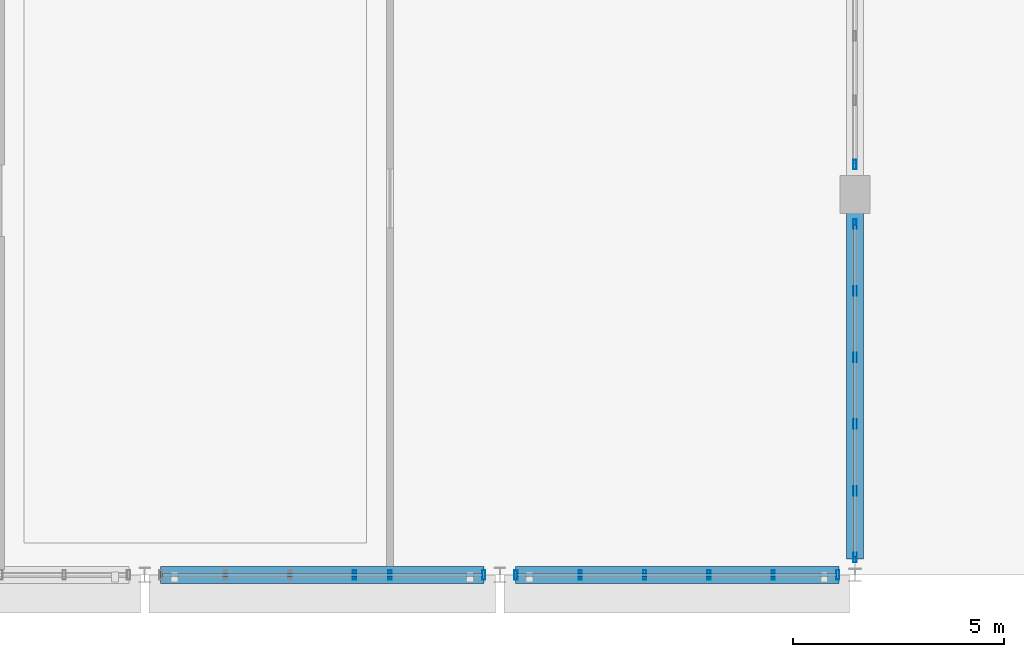
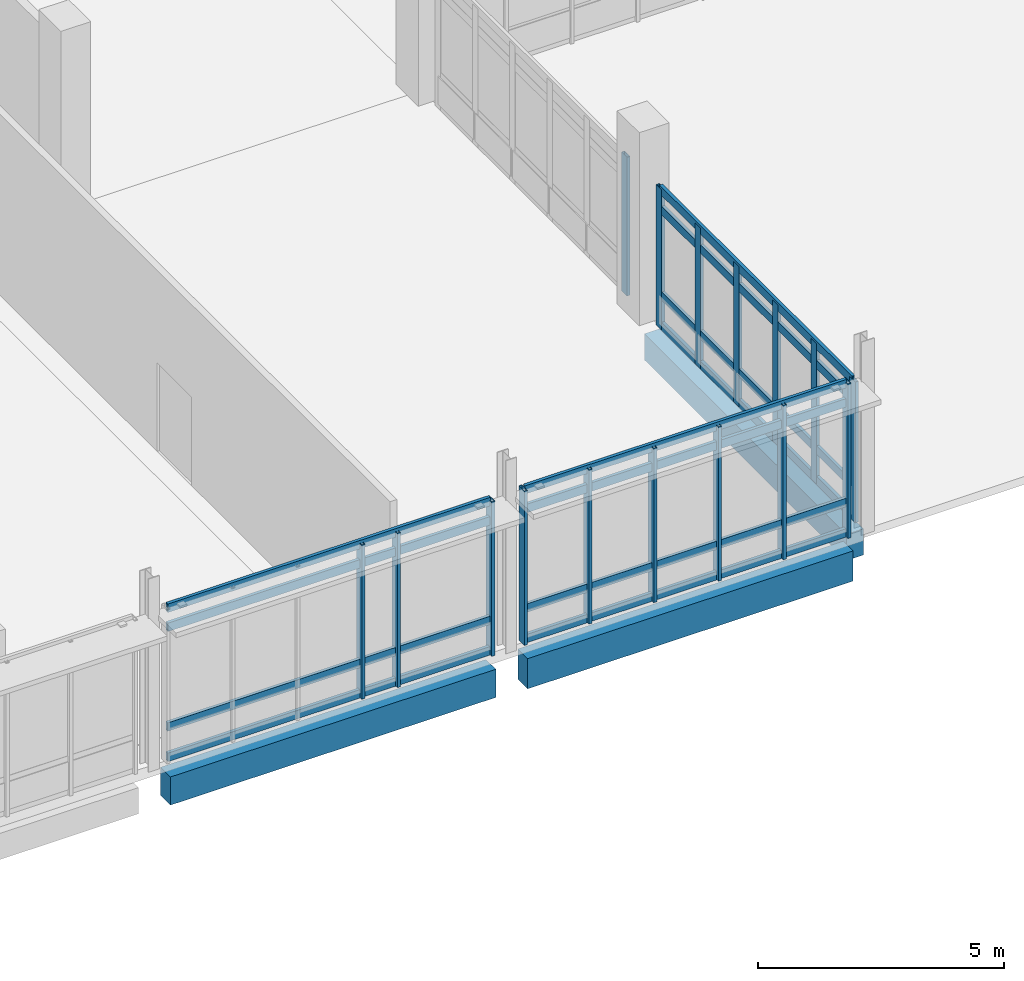
# One storey, part 25 of 95: 28 members, 3 beams, 4 elements without a shape of their own.
"""IFC4 building model written with IfcOpenShell, lengths in metres."""

import ifcopenshell
import ifcopenshell.guid

model = None  # the IFC model being written
_history = None  # IfcOwnerHistory: only IFC2X3 demands one
_inside = {}  # id of a spatial element -> (the spatial element, [elements in it])
_under = {}  # id of a project, library or spatial element -> (it, [spatial elements below it])
_declared = {}  # id of a project -> (the project, [libraries it declares])
_typed = {}  # id of a type object -> (the type object, [elements of that type])
_made_of = {}  # id of a material, layer set ... -> (it, [elements and type objects made of it])


def new_model(schema):
    """Start an empty IFC model of exactly this schema.

    Asked for "IFC4X3", IfcOpenShell would pick the latest addendum, in which some entities
    have other attributes; the version numbers below select the first issue.
    IFC2X3 requires an IfcOwnerHistory on every rooted entity: one is made here for all.
    """
    global model, _history
    if schema == "IFC4X3":
        model = ifcopenshell.file(schema_version=(4, 3, 0, 0))
    else:
        model = ifcopenshell.file(schema=schema)
    _inside.clear()
    _under.clear()
    _declared.clear()
    _typed.clear()
    _made_of.clear()
    _history = None
    if model.schema == "IFC2X3":
        org = make("IfcOrganization", Name="unknown")
        user = make(
            "IfcPersonAndOrganization",
            ThePerson=make("IfcPerson", FamilyName="unknown"),
            TheOrganization=org,
        )
        app = make(
            "IfcApplication",
            ApplicationDeveloper=org,
            Version="unknown",
            ApplicationFullName="unknown",
            ApplicationIdentifier="unknown",
        )
        _history = make(
            "IfcOwnerHistory",
            OwningUser=user,
            OwningApplication=app,
            ChangeAction="ADDED",
            CreationDate=0,
        )
    return model


def make(cls, **values):
    """One entity of the class cls with the attributes given. An attribute that is None is left unset."""
    return model.create_entity(
        cls, **{name: value for name, value in values.items() if value is not None}
    )


def rooted(cls, **values):
    """An entity with a GlobalId (a new one), such as an element, a storey or a relation."""
    return make(cls, GlobalId=ifcopenshell.guid.new(), OwnerHistory=_history, **values)


def si_unit(unit_type, name, prefix=None):
    """IfcSIUnit, for example si_unit("LENGTHUNIT", "METRE", prefix="MILLI")."""
    return make("IfcSIUnit", UnitType=unit_type, Prefix=prefix, Name=name)


def assignment(units):
    """IfcUnitAssignment: the units of a project."""
    return None if units is None else make("IfcUnitAssignment", Units=units)


def point(xyz):
    """IfcCartesianPoint."""
    return None if xyz is None else make("IfcCartesianPoint", Coordinates=xyz)


def direction(xyz):
    """IfcDirection."""
    return None if xyz is None else make("IfcDirection", DirectionRatios=xyz)


def frame(location, z_axis=None, x_axis=None):
    """IfcAxis2Placement3D, a coordinate frame: its origin and axes. An axis left out is left unset."""
    return make(
        "IfcAxis2Placement3D",
        Location=point(location),
        Axis=direction(z_axis),
        RefDirection=direction(x_axis),
    )


def frame_2d(location, x_axis=None):
    """IfcAxis2Placement2D, a coordinate frame in the plane: its origin and x axis."""
    return make(
        "IfcAxis2Placement2D", Location=point(location), RefDirection=direction(x_axis)
    )


def origin():
    """The frame at (0, 0, 0) with its axes left unset."""
    return frame((0.0, 0.0, 0.0))


def origin_2d():
    """The frame at (0, 0) in the plane with its x axis left unset."""
    return frame_2d((0.0, 0.0))


def place(relative_to, where):
    """IfcLocalPlacement: puts the frame where relative to a parent placement (None: the world)."""
    return make(
        "IfcLocalPlacement", PlacementRelTo=relative_to, RelativePlacement=where
    )


def context(
    kind, dimensions, precision=None, world=None, true_north=None, identifier=None
):
    """IfcGeometricRepresentationContext, for example the 3D "Model" context."""
    return make(
        "IfcGeometricRepresentationContext",
        ContextIdentifier=identifier,
        ContextType=kind,
        CoordinateSpaceDimension=dimensions,
        Precision=precision,
        WorldCoordinateSystem=world,
        TrueNorth=true_north,
    )


def subcontext(parent, identifier, kind, view, scale=None):
    """IfcGeometricRepresentationSubContext, for example "Body" below "Model"."""
    return make(
        "IfcGeometricRepresentationSubContext",
        ContextIdentifier=identifier,
        ContextType=kind,
        ParentContext=parent,
        TargetScale=scale,
        TargetView=view,
    )


def project(units=None, contexts=None):
    """IfcProject with its units and contexts."""
    return rooted(
        "IfcProject",
        Name="project",
        RepresentationContexts=contexts,
        UnitsInContext=assignment(units),
    )


def spatial(cls, under=None, at=None, **own):
    """A site, building, storey or space (cls), placed at a placement, below another one or the project."""
    s = rooted(cls, ObjectPlacement=at, **own)
    if under is not None:
        _under.setdefault(under.id(), (under, []))[1].append(s)
    return s


def profile(cls, at=None, kind="AREA", **sizes):
    """A parametric profile (cls). Its sizes go by their IFC names, for example OverallWidth=200.0."""
    return make(cls, ProfileType=kind, Position=at, **sizes)


def rectangle(**sizes):
    """IfcRectangleProfileDef."""
    return profile("IfcRectangleProfileDef", **sizes)


def hollow_rectangle(**sizes):
    """IfcRectangleHollowProfileDef."""
    return profile("IfcRectangleHollowProfileDef", **sizes)


def extrude(swept, where, along, depth):
    """IfcExtrudedAreaSolid: the profile swept, set in the frame where, extruded along a direction by depth."""
    return make(
        "IfcExtrudedAreaSolid",
        SweptArea=swept,
        Position=where,
        ExtrudedDirection=direction(along),
        Depth=depth,
    )


def shape(context_of_items, identifier, shape_type, items):
    """IfcShapeRepresentation: the items that make up one representation, for example the "Body"."""
    return make(
        "IfcShapeRepresentation",
        ContextOfItems=context_of_items,
        RepresentationIdentifier=identifier,
        RepresentationType=shape_type,
        Items=items,
    )


def material(Name=None, Category=None):
    """IfcMaterial."""
    return make("IfcMaterial", Name=Name, Category=Category)


def layer(
    of_material, thickness, ventilated=None, Name=None, Category=None, Priority=None
):
    """IfcMaterialLayer: one layer of a wall or slab, of a material (None: an air gap)."""
    return make(
        "IfcMaterialLayer",
        Material=of_material,
        LayerThickness=thickness,
        IsVentilated=ventilated,
        Name=Name,
        Category=Category,
        Priority=Priority,
    )


def layer_set(layers, Name=None):
    """IfcMaterialLayerSet."""
    return make("IfcMaterialLayerSet", MaterialLayers=layers, LayerSetName=Name)


def material_profile(
    of_material, cross_section, Name=None, Category=None, Priority=None
):
    """IfcMaterialProfile: a cross section and its material."""
    return make(
        "IfcMaterialProfile",
        Name=Name,
        Material=of_material,
        Profile=cross_section,
        Priority=Priority,
        Category=Category,
    )


def profile_set(profiles, Name=None, composite=None):
    """IfcMaterialProfileSet."""
    return make(
        "IfcMaterialProfileSet",
        Name=Name,
        MaterialProfiles=profiles,
        CompositeProfile=composite,
    )


def made_of(thing, what):
    """Note that an element or type object is made of a material, layer set ...; save() writes the relation."""
    if what is not None:
        _made_of.setdefault(what.id(), (what, []))[1].append(thing)
    return thing


def type_object(cls, material=None, **own):
    """A type object (cls), such as IfcWallType, which elements share."""
    return made_of(rooted(cls, **own), material)


def element(
    cls,
    number,
    at=None,
    inside=None,
    cuts=None,
    type_object=None,
    material=None,
    context=None,
    identifier="Body",
    shape_type=None,
    held_by="IfcProductDefinitionShape",
    body=None,
    shapes=None,
    **own,
):
    """One element of the class cls, such as IfcWall. Its Tag is "e" and its number.

    at: its placement. inside: the storey or other place that contains it. cuts: it is an
    opening in that element (IfcRelVoidsElement). A single representation is given by context,
    identifier, shape_type and body (its items); several are given by shapes. held_by: the class
    of the entity that holds the representations. save() writes the other relations.
    """
    e = rooted(cls, Tag="e%d" % number, ObjectPlacement=at, **own)
    if body is not None:
        shapes = [shape(context, identifier, shape_type, body)]
    if shapes is not None:
        e.Representation = make(held_by, Representations=shapes)
    if inside is not None:
        _inside.setdefault(inside.id(), (inside, []))[1].append(e)
    if cuts is not None:
        rooted(
            "IfcRelVoidsElement", RelatingBuildingElement=cuts, RelatedOpeningElement=e
        )
    if type_object is not None:
        _typed.setdefault(type_object.id(), (type_object, []))[1].append(e)
    return made_of(e, material)


def aggregate(whole, parts):
    """IfcRelAggregates: a whole, such as a stair, and the parts it consists of."""
    return rooted("IfcRelAggregates", RelatingObject=whole, RelatedObjects=parts)


def save(model, path):
    """Write the relations noted so far, then the file.

    IfcRelAggregates (storeys below a building ...), IfcRelContainedInSpatialStructure (elements
    in a storey), IfcRelDefinesByType, IfcRelAssociatesMaterial and IfcRelDeclares: one each for
    every whole, place, type object, material and project.
    """
    for whole, parts in _under.values():
        aggregate(whole, parts)
    for where, things in _inside.values():
        rooted(
            "IfcRelContainedInSpatialStructure",
            RelatedElements=things,
            RelatingStructure=where,
        )
    for kind, things in _typed.values():
        rooted("IfcRelDefinesByType", RelatedObjects=things, RelatingType=kind)
    for what, things in _made_of.values():
        rooted("IfcRelAssociatesMaterial", RelatedObjects=things, RelatingMaterial=what)
    for by, libraries in _declared.values():
        rooted("IfcRelDeclares", RelatingContext=by, RelatedDefinitions=libraries)
    model.write(path)


model = new_model("IFC4")

# Units and contexts
model_context = context("Model", 3, precision=1e-05, world=origin(), true_north=direction((0.0, 1.0)))
body_context = subcontext(model_context, "Body", "Model", "MODEL_VIEW")
ifc_project = project(units=[si_unit("LENGTHUNIT", "METRE"), si_unit("AREAUNIT", "SQUARE_METRE"), si_unit("VOLUMEUNIT", "CUBIC_METRE"), si_unit("PLANEANGLEUNIT", "RADIAN"), si_unit("MASSUNIT", "GRAM", prefix="KILO")], contexts=[model_context])

# Site, building, storey
site_placement = place(None, origin())
site = spatial("IfcSite", under=ifc_project, at=site_placement, CompositionType="ELEMENT")
building_placement = place(site_placement, origin())
building = spatial("IfcBuilding", under=site, at=building_placement, Name="Vireocrest Preparatory School", CompositionType="ELEMENT")
storey_placement = place(building_placement, origin())
storey = spatial("IfcBuildingStorey", under=building, at=storey_placement, Name="L00", CompositionType="ELEMENT", Elevation=0.0)

# Curtain wall, members
ifc_material_1 = material(Name="Thermally broken aluminium EN AW-6063-T6", Category="aluminium")
ifc_layer_1 = layer(ifc_material_1, 0.179931640625)
ifc_layer_set_1 = layer_set([ifc_layer_1], Name="Thermally broken aluminium EN AW-6063-T6")
curtain_wall_type_1 = type_object("IfcCurtainWallType", Name="Dining Side Storefront 9000x4400", PredefinedType="USERDEFINED", material=ifc_layer_set_1)
curtain_wall_1_placement = place(storey_placement, origin())
curtain_wall_1 = element("IfcCurtainWall", 1, at=curtain_wall_1_placement, inside=storey, type_object=curtain_wall_type_1, Name="Curtain Wall CW11 CW_L00_CW11_1092_0003_000", ObjectType="CURTAIN WALL", PredefinedType="USERDEFINED")
ifc_material_profile_1 = material_profile(ifc_material_1, hollow_rectangle(XDim=0.074951171875, YDim=0.22509765625, WallThickness=0.0048828125, at=origin_2d()), Name="ALU 75x225x5")
ifc_profile_set_1 = profile_set([ifc_material_profile_1], Name="Thermally broken aluminium EN AW-6063-T6")
member_type_1 = type_object("IfcMemberType", Name="CW Mullion 75x225x5", PredefinedType="MULLION", material=ifc_profile_set_1)
member_1_placement = place(storey_placement, frame((109.199951171875, 0.408935546875, 0.0), z_axis=(0.0, 0.0, 1.0), x_axis=(1.0, 0.0, 0.0)))
member_1 = element("IfcMember", 2, at=member_1_placement, type_object=member_type_1, Name="CW Mullion ML4 CW_L00_CW11_1092_0003_000-1", PredefinedType="MULLION", context=body_context, shape_type="SweptSolid", body=[
    extrude(hollow_rectangle(XDim=0.074951171875, YDim=0.22509765625, WallThickness=0.0048828125, at=origin_2d()), origin(), (0.0, 0.0, 1.0), 3.4951171875),
])
member_2_placement = place(storey_placement, frame((109.199951171875, 1.986083984375, 0.0), z_axis=(0.0, 0.0, 1.0), x_axis=(1.0, 0.0, 0.0)))
member_2 = element("IfcMember", 3, at=member_2_placement, type_object=member_type_1, Name="CW Mullion ML4 CW_L00_CW11_1092_0003_000-2", PredefinedType="MULLION", context=body_context, shape_type="SweptSolid", body=[
    extrude(hollow_rectangle(XDim=0.074951171875, YDim=0.22509765625, WallThickness=0.0048828125, at=origin_2d()), origin(), (0.0, 0.0, 1.0), 3.4951171875),
])
member_3_placement = place(storey_placement, frame((109.199951171875, 3.5634765625, 0.0), z_axis=(0.0, 0.0, 1.0), x_axis=(1.0, 0.0, 0.0)))
member_3 = element("IfcMember", 4, at=member_3_placement, type_object=member_type_1, Name="CW Mullion ML4 CW_L00_CW11_1092_0003_000-3", PredefinedType="MULLION", context=body_context, shape_type="SweptSolid", body=[
    extrude(hollow_rectangle(XDim=0.074951171875, YDim=0.22509765625, WallThickness=0.0048828125, at=origin_2d()), origin(), (0.0, 0.0, 1.0), 3.4951171875),
])
member_4_placement = place(storey_placement, frame((109.199951171875, 5.140625, 0.0), z_axis=(0.0, 0.0, 1.0), x_axis=(1.0, 0.0, 0.0)))
member_4 = element("IfcMember", 5, at=member_4_placement, type_object=member_type_1, Name="CW Mullion ML4 CW_L00_CW11_1092_0003_000-4", PredefinedType="MULLION", context=body_context, shape_type="SweptSolid", body=[
    extrude(hollow_rectangle(XDim=0.074951171875, YDim=0.22509765625, WallThickness=0.0048828125, at=origin_2d()), origin(), (0.0, 0.0, 1.0), 3.4951171875),
])
member_5_placement = place(storey_placement, frame((109.199951171875, 6.7177734375, 0.0), z_axis=(0.0, 0.0, 1.0), x_axis=(1.0, 0.0, 0.0)))
member_5 = element("IfcMember", 6, at=member_5_placement, type_object=member_type_1, Name="CW Mullion ML4 CW_L00_CW11_1092_0003_000-5", PredefinedType="MULLION", context=body_context, shape_type="SweptSolid", body=[
    extrude(hollow_rectangle(XDim=0.074951171875, YDim=0.22509765625, WallThickness=0.0048828125, at=origin_2d()), origin(), (0.0, 0.0, 1.0), 3.4951171875),
])
member_6_placement = place(storey_placement, frame((109.199951171875, 8.294921875, 0.0), z_axis=(0.0, 0.0, 1.0), x_axis=(1.0, 0.0, 0.0)))
member_6 = element("IfcMember", 7, at=member_6_placement, type_object=member_type_1, Name="CW Mullion ML4 CW_L00_CW11_1092_0003_000-6", PredefinedType="MULLION", context=body_context, shape_type="SweptSolid", body=[
    extrude(hollow_rectangle(XDim=0.074951171875, YDim=0.22509765625, WallThickness=0.0048828125, at=origin_2d()), origin(), (0.0, 0.0, 1.0), 3.4951171875),
])

# Curtain wall, member
curtain_wall_2_placement = place(storey_placement, origin())
curtain_wall_2 = element("IfcCurtainWall", 8, at=curtain_wall_2_placement, inside=storey, type_object=curtain_wall_type_1, Name="Curtain Wall CW11 CW_L00_CW11_1092_0096_000", ObjectType="CURTAIN WALL", PredefinedType="USERDEFINED")
member_7_placement = place(storey_placement, frame((109.199951171875, 9.705078125, 0.0), z_axis=(0.0, 0.0, 1.0), x_axis=(1.0, 0.0, 0.0)))
member_7 = element("IfcMember", 9, at=member_7_placement, type_object=member_type_1, Name="CW Mullion ML4 CW_L00_CW11_1092_0096_000-1", PredefinedType="MULLION", context=body_context, shape_type="SweptSolid", body=[
    extrude(hollow_rectangle(XDim=0.074951171875, YDim=0.22509765625, WallThickness=0.0048828125, at=origin_2d()), origin(), (0.0, 0.0, 1.0), 3.445068359375),
])
aggregate(curtain_wall_2, [member_7])

# Curtain wall, members
ifc_layer_2 = layer(ifc_material_1, 0.179931640625)
ifc_layer_set_2 = layer_set([ifc_layer_2], Name="Thermally broken aluminium EN AW-6063-T6")
curtain_wall_type_2 = type_object("IfcCurtainWallType", Name="Dining Garden Storefront 8400x4400", PredefinedType="USERDEFINED", material=ifc_layer_set_2)
curtain_wall_3_placement = place(storey_placement, origin())
curtain_wall_3 = element("IfcCurtainWall", 10, at=curtain_wall_3_placement, inside=storey, type_object=curtain_wall_type_2, Name="Curtain Wall CW10 CW_L00_CW10_0927_0000_000", ObjectType="CURTAIN WALL", PredefinedType="USERDEFINED")
member_8_placement = place(storey_placement, frame((97.36328125, 0.0, 0.0), z_axis=(0.0, 0.0, 1.0), x_axis=(1.0, 0.0, 0.0)))
member_8 = element("IfcMember", 11, at=member_8_placement, type_object=member_type_1, Name="CW Mullion ML4 CW_L00_CW10_0927_0000_000-4", PredefinedType="MULLION", context=body_context, shape_type="SweptSolid", body=[
    extrude(hollow_rectangle(XDim=0.074951171875, YDim=0.22509765625, WallThickness=0.0048828125, at=origin_2d()), origin(), (0.0, 0.0, 1.0), 3.842041015625),
])
member_9_placement = place(storey_placement, frame((98.199951171875, 0.0, 0.0), z_axis=(0.0, 0.0, 1.0), x_axis=(1.0, 0.0, 0.0)))
member_9 = element("IfcMember", 12, at=member_9_placement, type_object=member_type_1, Name="CW Mullion ML4 CW_L00_CW10_0927_0000_000-5", PredefinedType="MULLION", context=body_context, shape_type="SweptSolid", body=[
    extrude(hollow_rectangle(XDim=0.074951171875, YDim=0.22509765625, WallThickness=0.0048828125, at=origin_2d()), origin(), (0.0, 0.0, 1.0), 3.842041015625),
])
member_10_placement = place(storey_placement, frame((100.4169921875, 0.0, 0.0), z_axis=(0.0, 0.0, 1.0), x_axis=(1.0, 0.0, 0.0)))
member_10 = element("IfcMember", 13, at=member_10_placement, type_object=member_type_1, Name="CW Mullion ML4 CW_L00_CW10_0927_0000_000-6", PredefinedType="MULLION", context=body_context, shape_type="SweptSolid", body=[
    extrude(hollow_rectangle(XDim=0.074951171875, YDim=0.22509765625, WallThickness=0.0048828125, at=origin_2d()), origin(), (0.0, 0.0, 1.0), 3.842041015625),
])

curtain_wall_4_placement = place(storey_placement, origin())
curtain_wall_4 = element("IfcCurtainWall", 14, at=curtain_wall_4_placement, inside=storey, type_object=curtain_wall_type_2, Name="Curtain Wall CW10 CW_L00_CW10_1011_0000_000", ObjectType="CURTAIN WALL", PredefinedType="USERDEFINED")
member_11_placement = place(storey_placement, frame((101.18310546875, 0.0, 0.0), z_axis=(0.0, 0.0, 1.0), x_axis=(1.0, 0.0, 0.0)))
member_11 = element("IfcMember", 15, at=member_11_placement, type_object=member_type_1, Name="CW Mullion ML4 CW_L00_CW10_1011_0000_000-1", PredefinedType="MULLION", context=body_context, shape_type="SweptSolid", body=[
    extrude(hollow_rectangle(XDim=0.074951171875, YDim=0.22509765625, WallThickness=0.0048828125, at=origin_2d()), origin(), (0.0, 0.0, 1.0), 3.842041015625),
])
member_12_placement = place(storey_placement, frame((102.704833984375, 0.0, 0.0), z_axis=(0.0, 0.0, 1.0), x_axis=(1.0, 0.0, 0.0)))
member_12 = element("IfcMember", 16, at=member_12_placement, type_object=member_type_1, Name="CW Mullion ML4 CW_L00_CW10_1011_0000_000-2", PredefinedType="MULLION", context=body_context, shape_type="SweptSolid", body=[
    extrude(hollow_rectangle(XDim=0.074951171875, YDim=0.22509765625, WallThickness=0.0048828125, at=origin_2d()), origin(), (0.0, 0.0, 1.0), 3.842041015625),
])
member_13_placement = place(storey_placement, frame((104.226806640625, 0.0, 0.0), z_axis=(0.0, 0.0, 1.0), x_axis=(1.0, 0.0, 0.0)))
member_13 = element("IfcMember", 17, at=member_13_placement, type_object=member_type_1, Name="CW Mullion ML4 CW_L00_CW10_1011_0000_000-3", PredefinedType="MULLION", context=body_context, shape_type="SweptSolid", body=[
    extrude(hollow_rectangle(XDim=0.074951171875, YDim=0.22509765625, WallThickness=0.0048828125, at=origin_2d()), origin(), (0.0, 0.0, 1.0), 3.842041015625),
])
member_14_placement = place(storey_placement, frame((105.748779296875, 0.0, 0.0), z_axis=(0.0, 0.0, 1.0), x_axis=(1.0, 0.0, 0.0)))
member_14 = element("IfcMember", 18, at=member_14_placement, type_object=member_type_1, Name="CW Mullion ML4 CW_L00_CW10_1011_0000_000-4", PredefinedType="MULLION", context=body_context, shape_type="SweptSolid", body=[
    extrude(hollow_rectangle(XDim=0.074951171875, YDim=0.22509765625, WallThickness=0.0048828125, at=origin_2d()), origin(), (0.0, 0.0, 1.0), 3.842041015625),
])
member_15_placement = place(storey_placement, frame((107.2705078125, 0.0, 0.0), z_axis=(0.0, 0.0, 1.0), x_axis=(1.0, 0.0, 0.0)))
member_15 = element("IfcMember", 19, at=member_15_placement, type_object=member_type_1, Name="CW Mullion ML4 CW_L00_CW10_1011_0000_000-5", PredefinedType="MULLION", context=body_context, shape_type="SweptSolid", body=[
    extrude(hollow_rectangle(XDim=0.074951171875, YDim=0.22509765625, WallThickness=0.0048828125, at=origin_2d()), origin(), (0.0, 0.0, 1.0), 3.842041015625),
])
member_16_placement = place(storey_placement, frame((108.79248046875, 0.0, 0.0), z_axis=(0.0, 0.0, 1.0), x_axis=(1.0, 0.0, 0.0)))
member_16 = element("IfcMember", 20, at=member_16_placement, type_object=member_type_1, Name="CW Mullion ML4 CW_L00_CW10_1011_0000_000-6", PredefinedType="MULLION", context=body_context, shape_type="SweptSolid", body=[
    extrude(hollow_rectangle(XDim=0.074951171875, YDim=0.22509765625, WallThickness=0.0048828125, at=origin_2d()), origin(), (0.0, 0.0, 1.0), 3.842041015625),
])

# Member
ifc_material_profile_2 = material_profile(ifc_material_1, hollow_rectangle(XDim=0.074951171875, YDim=0.2099609375, WallThickness=0.0048828125, at=origin_2d()), Name="ALU 75x210x5")
ifc_profile_set_2 = profile_set([ifc_material_profile_2], Name="Thermally broken aluminium EN AW-6063-T6")
member_type_2 = type_object("IfcMemberType", Name="CW Transom 75x210x5", PredefinedType="USERDEFINED", material=ifc_profile_set_2)
member_17_placement = place(storey_placement, frame((109.199951171875, 0.43408203125, 0.094970703125), z_axis=(0.0, 1.0, 0.0), x_axis=(-1.0, 0.0, 0.0)))
member_17 = element("IfcMember", 21, at=member_17_placement, type_object=member_type_2, Name="CW Transom TR4 CW_L00_CW11_1092_0003_000-1", ObjectType="TRANSOM", PredefinedType="USERDEFINED", context=body_context, shape_type="SweptSolid", body=[
    extrude(hollow_rectangle(XDim=0.074951171875, YDim=0.2099609375, WallThickness=0.0048828125, at=origin_2d()), origin(), (0.0, 0.0, 1.0), 7.8359375),
])

member_18_placement = place(storey_placement, frame((109.199951171875, 0.43408203125, 0.85009765625), z_axis=(0.0, 1.0, 0.0), x_axis=(-1.0, 0.0, 0.0)))
member_18 = element("IfcMember", 22, at=member_18_placement, type_object=member_type_2, Name="CW Transom TR4 CW_L00_CW11_1092_0003_000-2", ObjectType="TRANSOM", PredefinedType="USERDEFINED", context=body_context, shape_type="SweptSolid", body=[
    extrude(hollow_rectangle(XDim=0.074951171875, YDim=0.2099609375, WallThickness=0.0048828125, at=origin_2d()), origin(), (0.0, 0.0, 1.0), 7.8359375),
])

member_19_placement = place(storey_placement, frame((109.199951171875, 0.43408203125, 2.97998046875), z_axis=(0.0, 1.0, 0.0), x_axis=(-1.0, 0.0, 0.0)))
member_19 = element("IfcMember", 23, at=member_19_placement, type_object=member_type_2, Name="CW Transom TR4 CW_L00_CW11_1092_0003_000-3", ObjectType="TRANSOM", PredefinedType="USERDEFINED", context=body_context, shape_type="SweptSolid", body=[
    extrude(hollow_rectangle(XDim=0.074951171875, YDim=0.2099609375, WallThickness=0.0048828125, at=origin_2d()), origin(), (0.0, 0.0, 1.0), 7.8359375),
])

member_20_placement = place(storey_placement, frame((109.199951171875, 0.43408203125, 3.455078125), z_axis=(0.0, 1.0, 0.0), x_axis=(-1.0, 0.0, 0.0)))
member_20 = element("IfcMember", 24, at=member_20_placement, type_object=member_type_2, Name="CW Transom TR4 CW_L00_CW11_1092_0003_000-4", ObjectType="TRANSOM", PredefinedType="USERDEFINED", context=body_context, shape_type="SweptSolid", body=[
    extrude(hollow_rectangle(XDim=0.074951171875, YDim=0.2099609375, WallThickness=0.0048828125, at=origin_2d()), origin(), (0.0, 0.0, 1.0), 7.8359375),
])

aggregate(curtain_wall_1, [member_1, member_2, member_3, member_4, member_5, member_6, member_17, member_18, member_19, member_20])

member_21_placement = place(storey_placement, frame((92.80810546875, 0.0, 0.094970703125), z_axis=(1.0, 0.0, 0.0), x_axis=(0.0, 1.0, 0.0)))
member_21 = element("IfcMember", 25, at=member_21_placement, type_object=member_type_2, Name="CW Transom TR4 CW_L00_CW10_0927_0000_000-1", ObjectType="TRANSOM", PredefinedType="USERDEFINED", context=body_context, shape_type="SweptSolid", body=[
    extrude(hollow_rectangle(XDim=0.074951171875, YDim=0.2099609375, WallThickness=0.0048828125, at=origin_2d()), origin(), (0.0, 0.0, 1.0), 7.583984375),
])

member_22_placement = place(storey_placement, frame((92.80810546875, 0.0, 0.85009765625), z_axis=(1.0, 0.0, 0.0), x_axis=(0.0, 1.0, 0.0)))
member_22 = element("IfcMember", 26, at=member_22_placement, type_object=member_type_2, Name="CW Transom TR4 CW_L00_CW10_0927_0000_000-2", ObjectType="TRANSOM", PredefinedType="USERDEFINED", context=body_context, shape_type="SweptSolid", body=[
    extrude(hollow_rectangle(XDim=0.074951171875, YDim=0.2099609375, WallThickness=0.0048828125, at=origin_2d()), origin(), (0.0, 0.0, 1.0), 7.583984375),
])

member_23_placement = place(storey_placement, frame((92.80810546875, 0.0, 3.326904296875), z_axis=(1.0, 0.0, 0.0), x_axis=(0.0, 1.0, 0.0)))
member_23 = element("IfcMember", 27, at=member_23_placement, type_object=member_type_2, Name="CW Transom TR4 CW_L00_CW10_0927_0000_000-3", ObjectType="TRANSOM", PredefinedType="USERDEFINED", context=body_context, shape_type="SweptSolid", body=[
    extrude(hollow_rectangle(XDim=0.074951171875, YDim=0.2099609375, WallThickness=0.0048828125, at=origin_2d()), origin(), (0.0, 0.0, 1.0), 7.583984375),
])

member_24_placement = place(storey_placement, frame((92.80810546875, 0.0, 3.802001953125), z_axis=(1.0, 0.0, 0.0), x_axis=(0.0, 1.0, 0.0)))
member_24 = element("IfcMember", 28, at=member_24_placement, type_object=member_type_2, Name="CW Transom TR4 CW_L00_CW10_0927_0000_000-4", ObjectType="TRANSOM", PredefinedType="USERDEFINED", context=body_context, shape_type="SweptSolid", body=[
    extrude(hollow_rectangle(XDim=0.074951171875, YDim=0.2099609375, WallThickness=0.0048828125, at=origin_2d()), origin(), (0.0, 0.0, 1.0), 7.583984375),
])

aggregate(curtain_wall_3, [member_8, member_9, member_10, member_21, member_22, member_23, member_24])

member_25_placement = place(storey_placement, frame((101.2080078125, 0.0, 0.094970703125), z_axis=(1.0, 0.0, 0.0), x_axis=(0.0, 1.0, 0.0)))
member_25 = element("IfcMember", 29, at=member_25_placement, type_object=member_type_2, Name="CW Transom TR4 CW_L00_CW10_1011_0000_000-1", ObjectType="TRANSOM", PredefinedType="USERDEFINED", context=body_context, shape_type="SweptSolid", body=[
    extrude(hollow_rectangle(XDim=0.074951171875, YDim=0.2099609375, WallThickness=0.0048828125, at=origin_2d()), origin(), (0.0, 0.0, 1.0), 7.5595703125),
])

member_26_placement = place(storey_placement, frame((101.2080078125, 0.0, 0.85009765625), z_axis=(1.0, 0.0, 0.0), x_axis=(0.0, 1.0, 0.0)))
member_26 = element("IfcMember", 30, at=member_26_placement, type_object=member_type_2, Name="CW Transom TR4 CW_L00_CW10_1011_0000_000-2", ObjectType="TRANSOM", PredefinedType="USERDEFINED", context=body_context, shape_type="SweptSolid", body=[
    extrude(hollow_rectangle(XDim=0.074951171875, YDim=0.2099609375, WallThickness=0.0048828125, at=origin_2d()), origin(), (0.0, 0.0, 1.0), 7.5595703125),
])

member_27_placement = place(storey_placement, frame((101.2080078125, 0.0, 3.326904296875), z_axis=(1.0, 0.0, 0.0), x_axis=(0.0, 1.0, 0.0)))
member_27 = element("IfcMember", 31, at=member_27_placement, type_object=member_type_2, Name="CW Transom TR4 CW_L00_CW10_1011_0000_000-3", ObjectType="TRANSOM", PredefinedType="USERDEFINED", context=body_context, shape_type="SweptSolid", body=[
    extrude(hollow_rectangle(XDim=0.074951171875, YDim=0.2099609375, WallThickness=0.0048828125, at=origin_2d()), origin(), (0.0, 0.0, 1.0), 7.5595703125),
])

member_28_placement = place(storey_placement, frame((101.2080078125, 0.0, 3.802001953125), z_axis=(1.0, 0.0, 0.0), x_axis=(0.0, 1.0, 0.0)))
member_28 = element("IfcMember", 32, at=member_28_placement, type_object=member_type_2, Name="CW Transom TR4 CW_L00_CW10_1011_0000_000-4", ObjectType="TRANSOM", PredefinedType="USERDEFINED", context=body_context, shape_type="SweptSolid", body=[
    extrude(hollow_rectangle(XDim=0.074951171875, YDim=0.2099609375, WallThickness=0.0048828125, at=origin_2d()), origin(), (0.0, 0.0, 1.0), 7.5595703125),
])

aggregate(curtain_wall_4, [member_11, member_12, member_13, member_14, member_15, member_16, member_25, member_26, member_27, member_28])

# Beams
ifc_material_2 = material(Name="Concrete 40 MPa", Category="concrete")
ifc_material_profile_3 = material_profile(ifc_material_2, rectangle(XDim=0.39990234375, YDim=0.75, at=origin_2d()), Name="RC 400x750")
ifc_profile_set_3 = profile_set([ifc_material_profile_3], Name="Concrete 40 MPa")
beam_type_1 = type_object("IfcBeamType", Name="RC Commons Girder 400x750", PredefinedType="BEAM", material=ifc_profile_set_3)
beam_1_placement = place(storey_placement, frame((101.175048828125, 0.0, -0.655029296875), z_axis=(1.0, 0.0, 0.0), x_axis=(0.0, 1.0, 0.0)))
element("IfcBeam", 33, at=beam_1_placement, inside=storey, type_object=beam_type_1, Name="Primary Girder B09 L00-0007", PredefinedType="BEAM", context=body_context, shape_type="SweptSolid", body=[
    extrude(rectangle(XDim=0.39990234375, YDim=0.75, at=origin_2d()), origin(), (0.0, 0.0, 1.0), 7.64990234375),
])
ifc_material_profile_4 = material_profile(ifc_material_2, rectangle(XDim=0.39990234375, YDim=0.699951171875, at=origin_2d()), Name="RC 400x700")
ifc_profile_set_4 = profile_set([ifc_material_profile_4], Name="Concrete 40 MPa")
beam_type_2 = type_object("IfcBeamType", Name="RC Corridor Girder 400x700", PredefinedType="BEAM", material=ifc_profile_set_4)
beam_2_placement = place(storey_placement, frame((92.77490234375, 0.0, -0.6298828125), z_axis=(1.0, 0.0, 0.0), x_axis=(0.0, 1.0, 0.0)))
element("IfcBeam", 34, at=beam_2_placement, inside=storey, type_object=beam_type_2, Name="Primary Girder B08 L00-0006", PredefinedType="BEAM", context=body_context, shape_type="SweptSolid", body=[
    extrude(rectangle(XDim=0.39990234375, YDim=0.699951171875, at=origin_2d()), origin(), (0.0, 0.0, 1.0), 7.650146484375),
])
ifc_material_profile_5 = material_profile(ifc_material_2, rectangle(XDim=0.39990234375, YDim=0.64990234375, at=origin_2d()), Name="RC 400x650")
ifc_profile_set_5 = profile_set([ifc_material_profile_5], Name="Concrete 40 MPa")
beam_type_3 = type_object("IfcBeamType", Name="RC Laboratory Girder 400x650", PredefinedType="BEAM", material=ifc_profile_set_5)
beam_3_placement = place(storey_placement, frame((109.199951171875, 0.375, -0.60498046875), z_axis=(0.0, 1.0, 0.0), x_axis=(-1.0, 0.0, 0.0)))
element("IfcBeam", 35, at=beam_3_placement, inside=storey, type_object=beam_type_3, Name="Primary Girder B07 L00-0216", PredefinedType="BEAM", context=body_context, shape_type="SweptSolid", body=[
    extrude(rectangle(XDim=0.39990234375, YDim=0.64990234375, at=origin_2d()), origin(), (0.0, 0.0, 1.0), 8.22509765625),
])

save(model, "model.ifc")
